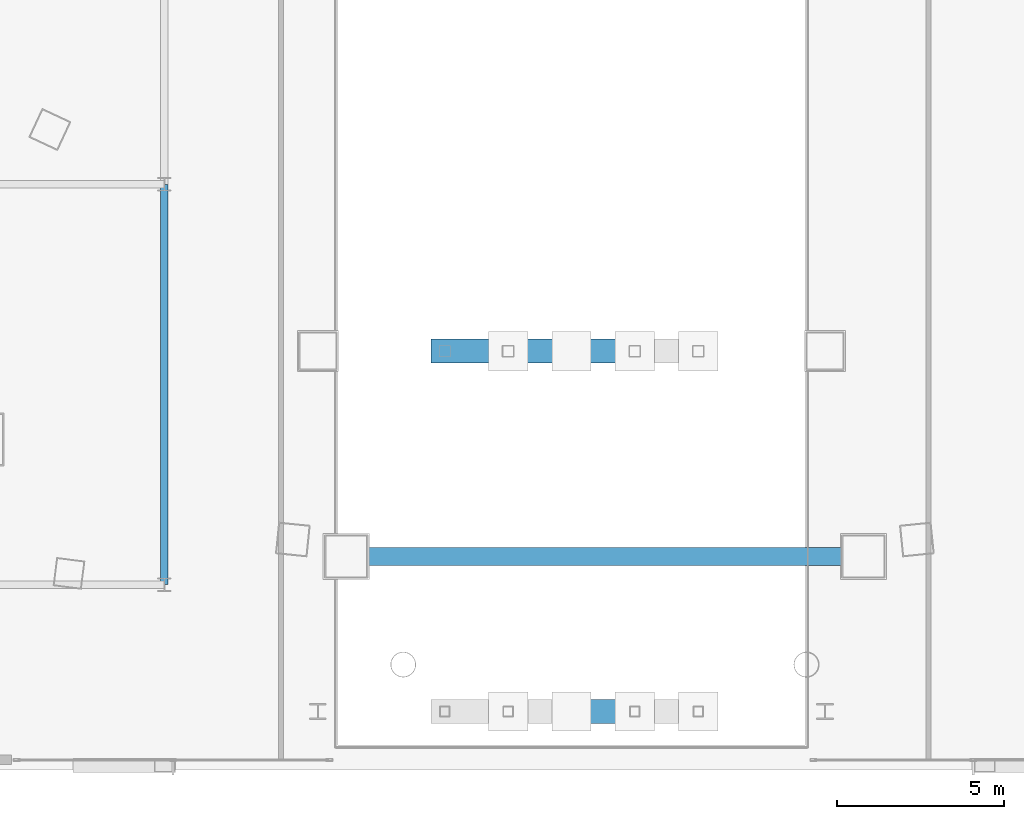
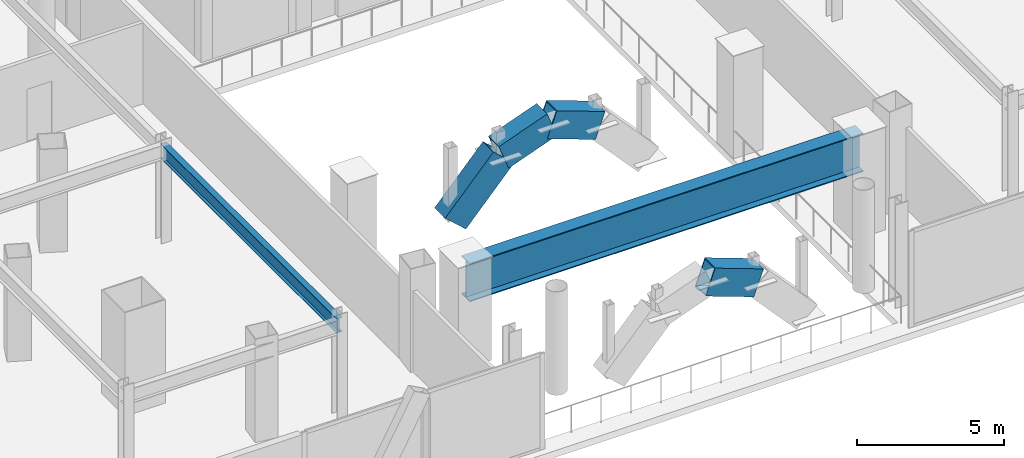
# One storey, part 9 of 42: 4 members, 2 beams.
"""IFC4 building model written with IfcOpenShell, lengths in metres."""

from ifc_helpers import new_model, si_unit, direction, frame, origin, origin_2d, place, context, subcontext, project, spatial, hollow_rectangle, i_section, extrude, material, material_profile, profile_set, type_object, element, save


model = new_model("IFC4")

# Units and contexts
model_context = context("Model", 3, precision=1e-05, world=origin(), true_north=direction((0.0, 1.0)))
body_context = subcontext(model_context, "Body", "Model", "MODEL_VIEW")
ifc_project = project(units=[si_unit("LENGTHUNIT", "METRE"), si_unit("AREAUNIT", "SQUARE_METRE"), si_unit("VOLUMEUNIT", "CUBIC_METRE"), si_unit("PLANEANGLEUNIT", "RADIAN"), si_unit("MASSUNIT", "GRAM", prefix="KILO")], contexts=[model_context])

# Site, building, storey
site_placement = place(None, origin())
site = spatial("IfcSite", under=ifc_project, at=site_placement, CompositionType="ELEMENT")
building_placement = place(site_placement, origin())
building = spatial("IfcBuilding", under=site, at=building_placement, Name="Orvanel Arch Residences", CompositionType="ELEMENT")
storey_placement = place(building_placement, frame((0.0, 0.0, 9.800048828125)))
storey = spatial("IfcBuildingStorey", under=building, at=storey_placement, Name="L02", CompositionType="ELEMENT", Elevation=9.800048828125)

# Members
ifc_material_1 = material(Name="Structural steel AS/NZS 3678 Grade 350", Category="steel")
ifc_material_profile_1 = material_profile(ifc_material_1, hollow_rectangle(XDim=0.719970703125, YDim=1.10009765625, WallThickness=0.035888671875, at=origin_2d()), Name="BOX1100x720x36")
ifc_profile_set_1 = profile_set([ifc_material_profile_1], Name="Structural steel AS/NZS 3678 Grade 350")
member_type_1 = type_object("IfcMemberType", Name="AR-1100BOX", PredefinedType="USERDEFINED", material=ifc_profile_set_1)
member_1_placement = place(storey_placement, frame((28.199951171875, 13.0, 0.962890625), z_axis=(0.67268569975, 0.0, 0.739928340687), x_axis=(0.0, 1.0, 0.0)))
element("IfcMember", 1, at=member_1_placement, inside=storey, type_object=member_type_1, Name="Monumental Podium Arch Rib MID Segment 3", ObjectType="ARCH_SEGMENT", PredefinedType="USERDEFINED", context=body_context, shape_type="SweptSolid", body=[
    extrude(hollow_rectangle(XDim=0.719970703125, YDim=1.10009765625, WallThickness=0.035888671875, at=origin_2d()), origin(), (0.0, 0.0, 1.0), 2.82470703125),
])
for number, where, z_axis, x_axis, name in (
    (2, (30.10009765625, 13.0, 3.052978515625), (0.938813913129, 0.0, 0.344424790797), (0.0, 1.0, 0.0), "Monumental Podium Arch Rib MID Segment 4"),
    (3, (32.0, 13.0, 3.75), (0.938813913129, 0.0, -0.344424790797), (0.0, 1.0, 0.0), "Monumental Podium Arch Rib MID Segment 5"),
):
    element("IfcMember", number, at=place(storey_placement, frame(where, z_axis=z_axis, x_axis=x_axis)), inside=storey, type_object=member_type_1, Name=name, ObjectType="ARCH_SEGMENT", PredefinedType="USERDEFINED", context=body_context, shape_type="SweptSolid", body=[
        extrude(hollow_rectangle(XDim=0.719970703125, YDim=1.10009765625, WallThickness=0.035888671875, at=origin_2d()), origin(), (0.0, 0.0, 1.0), 2.023681640625),
    ])
ifc_material_profile_2 = material_profile(ifc_material_1, hollow_rectangle(XDim=0.719970703125, YDim=1.10009765625, WallThickness=0.035888671875, at=origin_2d()), Name="BOX1100x720x36")
ifc_profile_set_2 = profile_set([ifc_material_profile_2], Name="Structural steel AS/NZS 3678 Grade 350")
member_type_2 = type_object("IfcMemberType", Name="AR-1100BOX-EXT", PredefinedType="USERDEFINED", material=ifc_profile_set_2)
member_2_placement = place(storey_placement, frame((32.0, 2.199951171875, 3.75), z_axis=(0.938813913129, 0.0, -0.344424790797), x_axis=(0.0, 1.0, 0.0)))
element("IfcMember", 4, at=member_2_placement, inside=storey, type_object=member_type_2, Name="Monumental Podium Arch Rib SOUTH Segment 5", ObjectType="ARCH_SEGMENT", PredefinedType="USERDEFINED", context=body_context, shape_type="SweptSolid", body=[
    extrude(hollow_rectangle(XDim=0.719970703125, YDim=1.10009765625, WallThickness=0.035888671875, at=origin_2d()), origin(), (0.0, 0.0, 1.0), 2.023681640625),
])

# Beams
ifc_material_2 = material(Name="Structural steel AS/NZS 3679.1 Grade 300 (300 MPa)", Category="steel")
ifc_material_profile_3 = material_profile(ifc_material_2, i_section(OverallWidth=0.22900390625, OverallDepth=0.612060546875, WebThickness=0.011962890625, FlangeThickness=0.01953125, at=origin_2d()), Name="610UB125")
ifc_profile_set_3 = profile_set([ifc_material_profile_3], Name="Structural steel AS/NZS 3679.1 Grade 300 (300 MPa)")
beam_type_1 = type_object("IfcBeamType", Name="BG-610UB", PredefinedType="BEAM", material=ifc_profile_set_3)
beam_1_placement = place(storey_placement, frame((19.800048828125, 6.0, 3.7138671875), z_axis=(0.0, 1.0, 0.0), x_axis=(-1.0, 0.0, 0.0)))
element("IfcBeam", 5, at=beam_1_placement, inside=storey, type_object=beam_type_1, Name="L02 North-South Podium Girder XW20-S", PredefinedType="BEAM", context=body_context, shape_type="SweptSolid", body=[
    extrude(i_section(OverallWidth=0.22900390625, OverallDepth=0.612060546875, WebThickness=0.011962890625, FlangeThickness=0.01953125, at=origin_2d()), origin(), (0.0, 0.0, 1.0), 12.0),
])
ifc_material_3 = material(Name="Structural steel AS/NZS 3678 Grade 450", Category="steel")
ifc_material_profile_4 = material_profile(ifc_material_3, i_section(OverallWidth=0.550048828125, OverallDepth=1.60009765625, WebThickness=0.02392578125, FlangeThickness=0.0400390625, at=origin_2d()), Name="1600WB520")
ifc_profile_set_4 = profile_set([ifc_material_profile_4], Name="Structural steel AS/NZS 3678 Grade 450")
beam_type_2 = type_object("IfcBeamType", Name="TG-1600WB", PredefinedType="USERDEFINED", material=ifc_profile_set_4)
beam_2_placement = place(storey_placement, frame((25.25, 6.843994140625, 3.219970703125), z_axis=(1.0, 0.0, 0.0), x_axis=(0.0, 1.0, 0.0)))
element("IfcBeam", 6, at=beam_2_placement, inside=storey, type_object=beam_type_2, Name="L02 Simply-Supported Arch Transfer Girder 1", ObjectType="TRANSFER GIRDER", PredefinedType="USERDEFINED", context=body_context, shape_type="SweptSolid", body=[
    extrude(i_section(OverallWidth=0.550048828125, OverallDepth=1.60009765625, WebThickness=0.02392578125, FlangeThickness=0.0400390625, at=origin_2d()), origin(), (0.0, 0.0, 1.0), 15.5),
])

save(model, "model.ifc")
